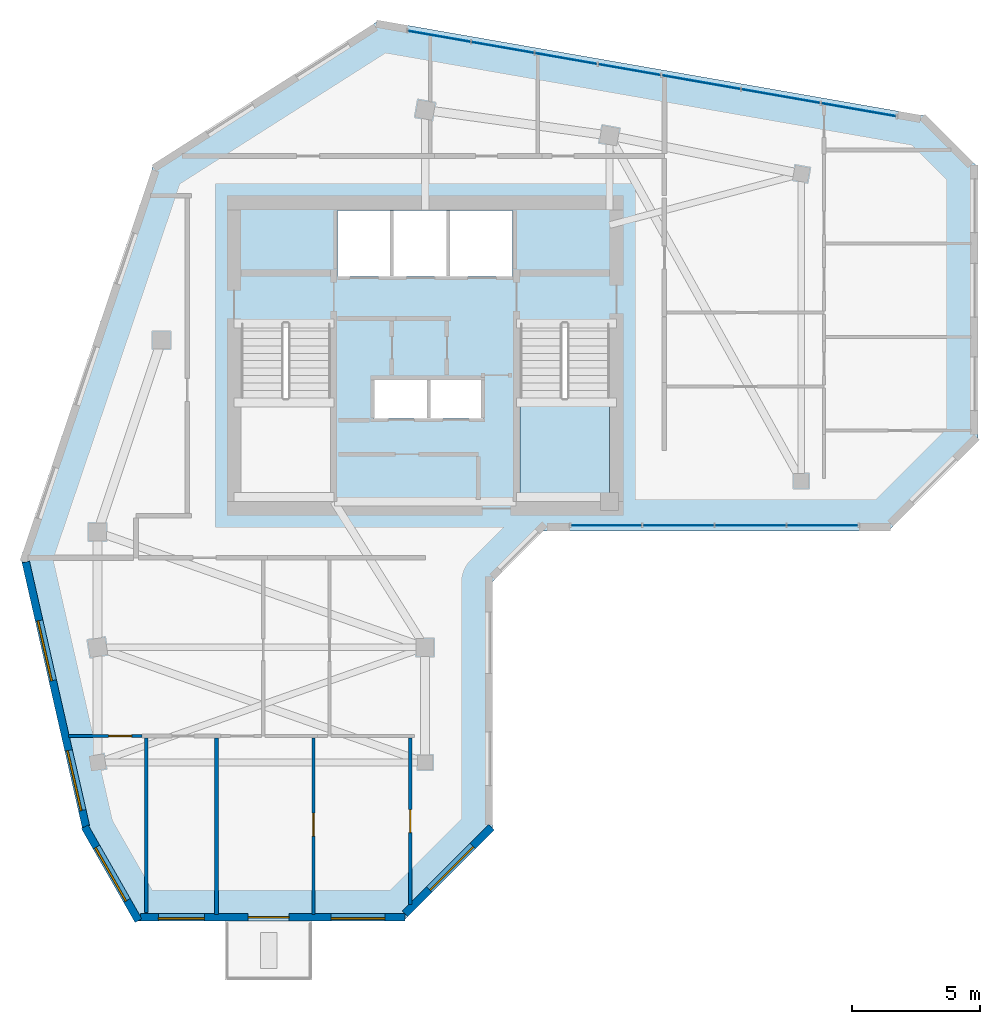
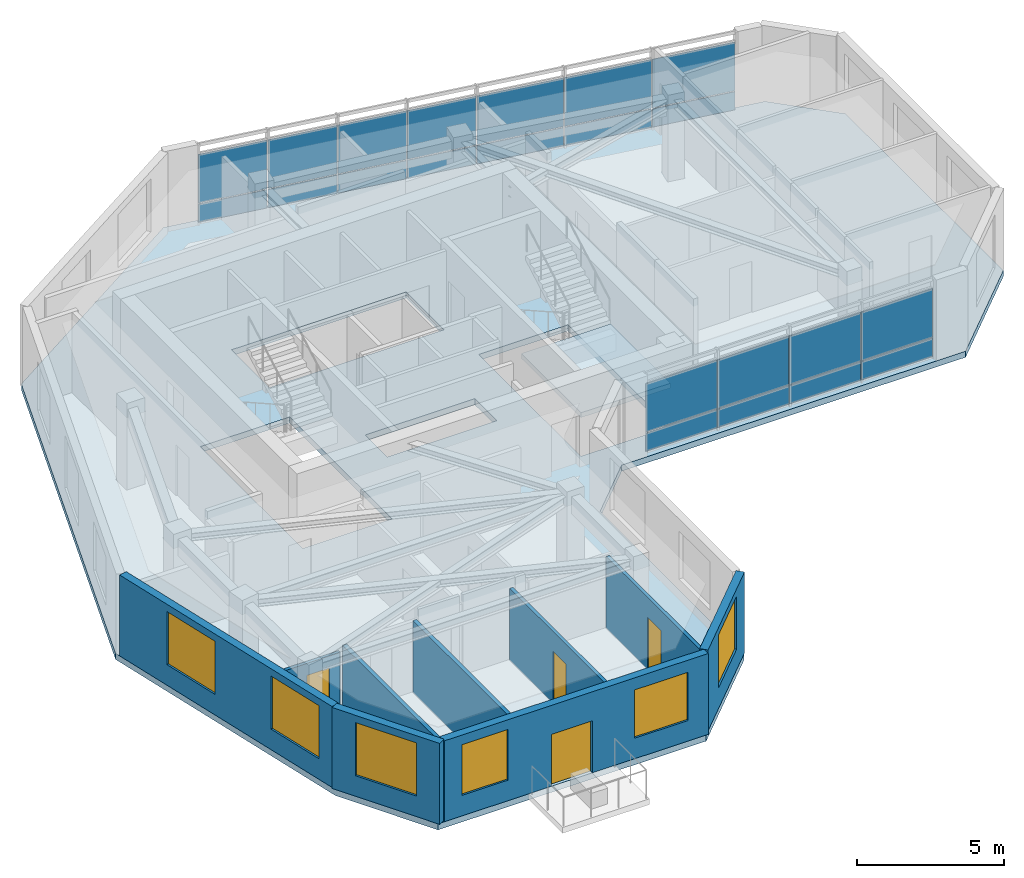
# One storey, part 3 of 10: 22 plates, 9 walls, 6 windows, 4 doors, 2 slabs, 10 openings, 3 elements without a shape of their own.
"""IFC4 building model written with IfcOpenShell, lengths in metres."""

import ifcopenshell
import ifcopenshell.guid

model = None  # the IFC model being written
_history = None  # IfcOwnerHistory: only IFC2X3 demands one
_inside = {}  # id of a spatial element -> (the spatial element, [elements in it])
_under = {}  # id of a project, library or spatial element -> (it, [spatial elements below it])
_declared = {}  # id of a project -> (the project, [libraries it declares])
_typed = {}  # id of a type object -> (the type object, [elements of that type])
_made_of = {}  # id of a material, layer set ... -> (it, [elements and type objects made of it])


def new_model(schema):
    """Start an empty IFC model of exactly this schema.

    Asked for "IFC4X3", IfcOpenShell would pick the latest addendum, in which some entities
    have other attributes; the version numbers below select the first issue.
    IFC2X3 requires an IfcOwnerHistory on every rooted entity: one is made here for all.
    """
    global model, _history
    if schema == "IFC4X3":
        model = ifcopenshell.file(schema_version=(4, 3, 0, 0))
    else:
        model = ifcopenshell.file(schema=schema)
    _inside.clear()
    _under.clear()
    _declared.clear()
    _typed.clear()
    _made_of.clear()
    _history = None
    if model.schema == "IFC2X3":
        org = make("IfcOrganization", Name="unknown")
        user = make(
            "IfcPersonAndOrganization",
            ThePerson=make("IfcPerson", FamilyName="unknown"),
            TheOrganization=org,
        )
        app = make(
            "IfcApplication",
            ApplicationDeveloper=org,
            Version="unknown",
            ApplicationFullName="unknown",
            ApplicationIdentifier="unknown",
        )
        _history = make(
            "IfcOwnerHistory",
            OwningUser=user,
            OwningApplication=app,
            ChangeAction="ADDED",
            CreationDate=0,
        )
    return model


def make(cls, **values):
    """One entity of the class cls with the attributes given. An attribute that is None is left unset."""
    return model.create_entity(
        cls, **{name: value for name, value in values.items() if value is not None}
    )


def rooted(cls, **values):
    """An entity with a GlobalId (a new one), such as an element, a storey or a relation."""
    return make(cls, GlobalId=ifcopenshell.guid.new(), OwnerHistory=_history, **values)


def si_unit(unit_type, name, prefix=None):
    """IfcSIUnit, for example si_unit("LENGTHUNIT", "METRE", prefix="MILLI")."""
    return make("IfcSIUnit", UnitType=unit_type, Prefix=prefix, Name=name)


def assignment(units):
    """IfcUnitAssignment: the units of a project."""
    return None if units is None else make("IfcUnitAssignment", Units=units)


def point(xyz):
    """IfcCartesianPoint."""
    return None if xyz is None else make("IfcCartesianPoint", Coordinates=xyz)


def direction(xyz):
    """IfcDirection."""
    return None if xyz is None else make("IfcDirection", DirectionRatios=xyz)


def frame(location, z_axis=None, x_axis=None):
    """IfcAxis2Placement3D, a coordinate frame: its origin and axes. An axis left out is left unset."""
    return make(
        "IfcAxis2Placement3D",
        Location=point(location),
        Axis=direction(z_axis),
        RefDirection=direction(x_axis),
    )


def frame_2d(location, x_axis=None):
    """IfcAxis2Placement2D, a coordinate frame in the plane: its origin and x axis."""
    return make(
        "IfcAxis2Placement2D", Location=point(location), RefDirection=direction(x_axis)
    )


def origin():
    """The frame at (0, 0, 0) with its axes left unset."""
    return frame((0.0, 0.0, 0.0))


def place(relative_to, where):
    """IfcLocalPlacement: puts the frame where relative to a parent placement (None: the world)."""
    return make(
        "IfcLocalPlacement", PlacementRelTo=relative_to, RelativePlacement=where
    )


def context(
    kind, dimensions, precision=None, world=None, true_north=None, identifier=None
):
    """IfcGeometricRepresentationContext, for example the 3D "Model" context."""
    return make(
        "IfcGeometricRepresentationContext",
        ContextIdentifier=identifier,
        ContextType=kind,
        CoordinateSpaceDimension=dimensions,
        Precision=precision,
        WorldCoordinateSystem=world,
        TrueNorth=true_north,
    )


def subcontext(parent, identifier, kind, view, scale=None):
    """IfcGeometricRepresentationSubContext, for example "Body" below "Model"."""
    return make(
        "IfcGeometricRepresentationSubContext",
        ContextIdentifier=identifier,
        ContextType=kind,
        ParentContext=parent,
        TargetScale=scale,
        TargetView=view,
    )


def project(units=None, contexts=None):
    """IfcProject with its units and contexts."""
    return rooted(
        "IfcProject",
        Name="project",
        RepresentationContexts=contexts,
        UnitsInContext=assignment(units),
    )


def spatial(cls, under=None, at=None, **own):
    """A site, building, storey or space (cls), placed at a placement, below another one or the project."""
    s = rooted(cls, ObjectPlacement=at, **own)
    if under is not None:
        _under.setdefault(under.id(), (under, []))[1].append(s)
    return s


def polyline(points):
    """IfcPolyline through the points."""
    return make("IfcPolyline", Points=[point(p) for p in points])


def profile(cls, at=None, kind="AREA", **sizes):
    """A parametric profile (cls). Its sizes go by their IFC names, for example OverallWidth=200.0."""
    return make(cls, ProfileType=kind, Position=at, **sizes)


def rectangle(**sizes):
    """IfcRectangleProfileDef."""
    return profile("IfcRectangleProfileDef", **sizes)


def outline(outer, holes=None, kind="AREA"):
    """IfcArbitraryClosedProfileDef: a profile drawn as a closed curve; with holes, ...WithVoids."""
    if holes is None:
        return make("IfcArbitraryClosedProfileDef", ProfileType=kind, OuterCurve=outer)
    return make(
        "IfcArbitraryProfileDefWithVoids",
        ProfileType=kind,
        OuterCurve=outer,
        InnerCurves=holes,
    )


def extrude(swept, where, along, depth):
    """IfcExtrudedAreaSolid: the profile swept, set in the frame where, extruded along a direction by depth."""
    return make(
        "IfcExtrudedAreaSolid",
        SweptArea=swept,
        Position=where,
        ExtrudedDirection=direction(along),
        Depth=depth,
    )


def shape(context_of_items, identifier, shape_type, items):
    """IfcShapeRepresentation: the items that make up one representation, for example the "Body"."""
    return make(
        "IfcShapeRepresentation",
        ContextOfItems=context_of_items,
        RepresentationIdentifier=identifier,
        RepresentationType=shape_type,
        Items=items,
    )


def source(mapping_origin, context_of_items, identifier, shape_type, items):
    """IfcRepresentationMap: a shape defined once, which mapped items show again and again."""
    return make(
        "IfcRepresentationMap",
        MappingOrigin=mapping_origin,
        MappedRepresentation=shape(context_of_items, identifier, shape_type, items),
    )


def transform(
    local_origin,
    x_axis=None,
    y_axis=None,
    z_axis=None,
    scale=None,
    scale2=None,
    scale3=None,
    uniform=True,
):
    """IfcCartesianTransformationOperator3D, or its non-uniform kind. x_axis, y_axis, z_axis: its Axis1, 2, 3."""
    if uniform:
        return make(
            "IfcCartesianTransformationOperator3D",
            Axis1=direction(x_axis),
            Axis2=direction(y_axis),
            LocalOrigin=point(local_origin),
            Scale=scale,
            Axis3=direction(z_axis),
        )
    return make(
        "IfcCartesianTransformationOperator3DnonUniform",
        Axis1=direction(x_axis),
        Axis2=direction(y_axis),
        LocalOrigin=point(local_origin),
        Scale=scale,
        Axis3=direction(z_axis),
        Scale2=scale2,
        Scale3=scale3,
    )


def mapped(mapping_source, mapping_target):
    """IfcMappedItem: shows the shape of a source again, moved by a transform."""
    return make(
        "IfcMappedItem", MappingSource=mapping_source, MappingTarget=mapping_target
    )


def material(Name=None, Category=None):
    """IfcMaterial."""
    return make("IfcMaterial", Name=Name, Category=Category)


def layer(
    of_material, thickness, ventilated=None, Name=None, Category=None, Priority=None
):
    """IfcMaterialLayer: one layer of a wall or slab, of a material (None: an air gap)."""
    return make(
        "IfcMaterialLayer",
        Material=of_material,
        LayerThickness=thickness,
        IsVentilated=ventilated,
        Name=Name,
        Category=Category,
        Priority=Priority,
    )


def layer_set(layers, Name=None):
    """IfcMaterialLayerSet."""
    return make("IfcMaterialLayerSet", MaterialLayers=layers, LayerSetName=Name)


def made_of(thing, what):
    """Note that an element or type object is made of a material, layer set ...; save() writes the relation."""
    if what is not None:
        _made_of.setdefault(what.id(), (what, []))[1].append(thing)
    return thing


def type_object(cls, material=None, **own):
    """A type object (cls), such as IfcWallType, which elements share."""
    return made_of(rooted(cls, **own), material)


def element(
    cls,
    number,
    at=None,
    inside=None,
    cuts=None,
    type_object=None,
    material=None,
    context=None,
    identifier="Body",
    shape_type=None,
    held_by="IfcProductDefinitionShape",
    body=None,
    shapes=None,
    **own,
):
    """One element of the class cls, such as IfcWall. Its Tag is "e" and its number.

    at: its placement. inside: the storey or other place that contains it. cuts: it is an
    opening in that element (IfcRelVoidsElement). A single representation is given by context,
    identifier, shape_type and body (its items); several are given by shapes. held_by: the class
    of the entity that holds the representations. save() writes the other relations.
    """
    e = rooted(cls, Tag="e%d" % number, ObjectPlacement=at, **own)
    if body is not None:
        shapes = [shape(context, identifier, shape_type, body)]
    if shapes is not None:
        e.Representation = make(held_by, Representations=shapes)
    if inside is not None:
        _inside.setdefault(inside.id(), (inside, []))[1].append(e)
    if cuts is not None:
        rooted(
            "IfcRelVoidsElement", RelatingBuildingElement=cuts, RelatedOpeningElement=e
        )
    if type_object is not None:
        _typed.setdefault(type_object.id(), (type_object, []))[1].append(e)
    return made_of(e, material)


def fill(opening, filler):
    """IfcRelFillsElement: the door or window that sits in an opening."""
    return rooted(
        "IfcRelFillsElement",
        RelatingOpeningElement=opening,
        RelatedBuildingElement=filler,
    )


def aggregate(whole, parts):
    """IfcRelAggregates: a whole, such as a stair, and the parts it consists of."""
    return rooted("IfcRelAggregates", RelatingObject=whole, RelatedObjects=parts)


def save(model, path):
    """Write the relations noted so far, then the file.

    IfcRelAggregates (storeys below a building ...), IfcRelContainedInSpatialStructure (elements
    in a storey), IfcRelDefinesByType, IfcRelAssociatesMaterial and IfcRelDeclares: one each for
    every whole, place, type object, material and project.
    """
    for whole, parts in _under.values():
        aggregate(whole, parts)
    for where, things in _inside.values():
        rooted(
            "IfcRelContainedInSpatialStructure",
            RelatedElements=things,
            RelatingStructure=where,
        )
    for kind, things in _typed.values():
        rooted("IfcRelDefinesByType", RelatedObjects=things, RelatingType=kind)
    for what, things in _made_of.values():
        rooted("IfcRelAssociatesMaterial", RelatedObjects=things, RelatingMaterial=what)
    for by, libraries in _declared.values():
        rooted("IfcRelDeclares", RelatingContext=by, RelatedDefinitions=libraries)
    model.write(path)


model = new_model("IFC4")

# Units and contexts
model_context = context("Model", 3, precision=1e-05, world=origin(), true_north=direction((0.0, 1.0)))
body_context = subcontext(model_context, "Body", "Model", "MODEL_VIEW")
ifc_project = project(units=[si_unit("LENGTHUNIT", "METRE"), si_unit("AREAUNIT", "SQUARE_METRE"), si_unit("VOLUMEUNIT", "CUBIC_METRE"), si_unit("PLANEANGLEUNIT", "RADIAN"), si_unit("MASSUNIT", "GRAM", prefix="KILO")], contexts=[model_context])

# Site, building, storey
site_placement = place(None, origin())
site = spatial("IfcSite", under=ifc_project, at=site_placement, CompositionType="ELEMENT")
building_placement = place(site_placement, origin())
building = spatial("IfcBuilding", under=site, at=building_placement, Name="Calvemar Wedge Station Tower", CompositionType="ELEMENT")
storey_placement = place(building_placement, frame((0.0, 0.0, 256.5)))
storey = spatial("IfcBuildingStorey", under=building, at=storey_placement, Name="L65", CompositionType="ELEMENT", Elevation=256.5)

# Curtain wall, plates
ifc_material_1 = material(Name="Anodised aluminium 6063-T6", Category="aluminium")
curtain_wall_type = type_object("IfcCurtainWallType", Name="CW4", PredefinedType="NOTDEFINED", material=ifc_material_1)
curtain_wall_1_placement = place(storey_placement, origin())
curtain_wall_1 = element("IfcCurtainWall", 1, at=curtain_wall_1_placement, inside=storey, type_object=curtain_wall_type, Name="Storey L65 CW4 Recessed Unitised Curtain Wall 6", PredefinedType="NOTDEFINED")
ifc_material_2 = material(Name="Low-E laminated insulated glass", Category="glass")
ifc_layer_1 = layer(ifc_material_2, 0.028076171875)
ifc_layer_set_1 = layer_set([ifc_layer_1], Name="Low-E laminated insulated glass")
plate_type_1 = type_object("IfcPlateType", Name="CW4-GLZ", PredefinedType="CURTAIN_PANEL", material=ifc_layer_set_1)
plate_1_placement = place(storey_placement, frame((29.48779296875, 33.26611328125, 0.8701171875), z_axis=(0.0, 0.0, 1.0), x_axis=(1.0, 0.0, 0.0)))
plate_1 = element("IfcPlate", 2, at=plate_1_placement, type_object=plate_type_1, Name="CW4 vision glass panel 1", PredefinedType="CURTAIN_PANEL", context=body_context, shape_type="SweptSolid", body=[
    extrude(rectangle(XDim=2.781005859375, YDim=0.028076171875, at=frame_2d((1.390625, 0.0))), origin(), (0.0, 0.0, 1.0), 2.009765625),
])
plate_2_placement = place(storey_placement, frame((32.304931640625, 33.26611328125, 0.8701171875), z_axis=(0.0, 0.0, 1.0), x_axis=(1.0, 0.0, 0.0)))
plate_2 = element("IfcPlate", 3, at=plate_2_placement, type_object=plate_type_1, Name="CW4 vision glass panel 2", PredefinedType="CURTAIN_PANEL", context=body_context, shape_type="SweptSolid", body=[
    extrude(rectangle(XDim=2.781005859375, YDim=0.028076171875, at=frame_2d((1.390625, 0.0))), origin(), (0.0, 0.0, 1.0), 2.009765625),
])
plate_3_placement = place(storey_placement, frame((35.121826171875, 33.26611328125, 0.8701171875), z_axis=(0.0, 0.0, 1.0), x_axis=(1.0, 0.0, 0.0)))
plate_3 = element("IfcPlate", 4, at=plate_3_placement, type_object=plate_type_1, Name="CW4 vision glass panel 3", PredefinedType="CURTAIN_PANEL", context=body_context, shape_type="SweptSolid", body=[
    extrude(rectangle(XDim=2.781005859375, YDim=0.028076171875, at=frame_2d((1.390625, 0.0))), origin(), (0.0, 0.0, 1.0), 2.009765625),
])
plate_4_placement = place(storey_placement, frame((37.93896484375, 33.26611328125, 0.8701171875), z_axis=(0.0, 0.0, 1.0), x_axis=(1.0, 0.0, 0.0)))
plate_4 = element("IfcPlate", 5, at=plate_4_placement, type_object=plate_type_1, Name="CW4 vision glass panel 4", PredefinedType="CURTAIN_PANEL", context=body_context, shape_type="SweptSolid", body=[
    extrude(rectangle(XDim=2.781005859375, YDim=0.028076171875, at=frame_2d((1.390625, 0.0))), origin(), (0.0, 0.0, 1.0), 2.009765625),
])

curtain_wall_2_placement = place(storey_placement, origin())
curtain_wall_2 = element("IfcCurtainWall", 6, at=curtain_wall_2_placement, inside=storey, type_object=curtain_wall_type, Name="Storey L65 CW4 Recessed Unitised Curtain Wall 10", PredefinedType="NOTDEFINED")
plate_5_placement = place(storey_placement, frame((42.2158203125, 49.25, 0.8701171875), z_axis=(0.0, 0.0, 1.0), x_axis=(-0.985039826474, 0.172326841378, 0.0)))
plate_5 = element("IfcPlate", 7, at=plate_5_placement, type_object=plate_type_1, Name="CW4 vision glass panel 1", PredefinedType="CURTAIN_PANEL", context=body_context, shape_type="SweptSolid", body=[
    extrude(rectangle(XDim=2.9892578125, YDim=0.028076171875, at=frame_2d((1.49462890625, 0.0))), origin(), (0.0, 0.0, 1.0), 2.009765625),
])
plate_6_placement = place(storey_placement, frame((39.23583984375, 49.771484375, 0.8701171875), z_axis=(0.0, 0.0, 1.0), x_axis=(-0.985045707379, 0.172293222078, 0.0)))
plate_6 = element("IfcPlate", 8, at=plate_6_placement, type_object=plate_type_1, Name="CW4 vision glass panel 2", PredefinedType="CURTAIN_PANEL", context=body_context, shape_type="SweptSolid", body=[
    extrude(rectangle(XDim=3.12744140625, YDim=0.028076171875, at=frame_2d((1.563720703125, 0.0))), origin(), (0.0, 0.0, 1.0), 2.009765625),
])
plate_7_placement = place(storey_placement, frame((36.119873046875, 50.31640625, 0.8701171875), z_axis=(0.0, 0.0, 1.0), x_axis=(-0.985032455421, 0.17236896985, 0.0)))
plate_7 = element("IfcPlate", 9, at=plate_7_placement, type_object=plate_type_1, Name="CW4 vision glass panel 3", PredefinedType="CURTAIN_PANEL", context=body_context, shape_type="SweptSolid", body=[
    extrude(rectangle(XDim=3.12744140625, YDim=0.028076171875, at=frame_2d((1.563720703125, 0.0))), origin(), (0.0, 0.0, 1.0), 2.009765625),
])
plate_8_placement = place(storey_placement, frame((33.00390625, 50.861572265625, 0.8701171875), z_axis=(0.0, 0.0, 1.0), x_axis=(-0.985043436117, 0.172306206978, 0.0)))
plate_8 = element("IfcPlate", 10, at=plate_8_placement, type_object=plate_type_1, Name="CW4 vision glass panel 4", PredefinedType="CURTAIN_PANEL", context=body_context, shape_type="SweptSolid", body=[
    extrude(rectangle(XDim=2.476806640625, YDim=0.028076171875, at=frame_2d((1.23828125, 0.0))), origin(), (0.0, 0.0, 1.0), 2.009765625),
])
plate_9_placement = place(storey_placement, frame((30.52880859375, 51.294677734375, 0.8701171875), z_axis=(0.0, 0.0, 1.0), x_axis=(-0.985040509104, 0.172322939343, 0.0)))
plate_9 = element("IfcPlate", 11, at=plate_9_placement, type_object=plate_type_1, Name="CW4 vision glass panel 5", PredefinedType="CURTAIN_PANEL", context=body_context, shape_type="SweptSolid", body=[
    extrude(rectangle(XDim=2.4765625, YDim=0.028076171875, at=frame_2d((1.23828125, 0.0))), origin(), (0.0, 0.0, 1.0), 2.009765625),
])
plate_10_placement = place(storey_placement, frame((28.053955078125, 51.7275390625, 0.8701171875), z_axis=(0.0, 0.0, 1.0), x_axis=(-0.985028799202, 0.172389862645, 0.0)))
plate_10 = element("IfcPlate", 12, at=plate_10_placement, type_object=plate_type_1, Name="CW4 vision glass panel 6", PredefinedType="CURTAIN_PANEL", context=body_context, shape_type="SweptSolid", body=[
    extrude(rectangle(XDim=2.4853515625, YDim=0.028076171875, at=frame_2d((1.24267578125, 0.0))), origin(), (0.0, 0.0, 1.0), 2.009765625),
])
plate_11_placement = place(storey_placement, frame((25.5703125, 52.162109375, 0.8701171875), z_axis=(0.0, 0.0, 1.0), x_axis=(-0.985039641183, 0.172327900522, 0.0)))
plate_11 = element("IfcPlate", 13, at=plate_11_placement, type_object=plate_type_1, Name="CW4 vision glass panel 7", PredefinedType="CURTAIN_PANEL", context=body_context, shape_type="SweptSolid", body=[
    extrude(rectangle(XDim=2.48486328125, YDim=0.028076171875, at=frame_2d((1.242431640625, 0.0))), origin(), (0.0, 0.0, 1.0), 2.009765625),
])

# Plate
ifc_material_3 = material(Name="Oxidized bronze aluminium spandrel panel 5005-H24", Category="aluminium")
ifc_layer_2 = layer(ifc_material_3, 0.0400390625)
ifc_layer_set_2 = layer_set([ifc_layer_2], Name="Oxidized bronze aluminium spandrel panel 5005-H24")
plate_type_2 = type_object("IfcPlateType", Name="CW4-SPD", PredefinedType="SHEET", material=ifc_layer_set_2)
plate_12_placement = place(storey_placement, frame((29.48779296875, 33.26611328125, 0.080078125), z_axis=(0.0, 0.0, 1.0), x_axis=(1.0, 0.0, 0.0)))
plate_12 = element("IfcPlate", 14, at=plate_12_placement, type_object=plate_type_2, Name="CW4 bronze spandrel panel 1", PredefinedType="SHEET", context=body_context, shape_type="SweptSolid", body=[
    extrude(rectangle(XDim=2.781005859375, YDim=0.0400390625, at=frame_2d((1.390625, 0.0))), origin(), (0.0, 0.0, 1.0), 0.75),
])

plate_13_placement = place(storey_placement, frame((32.304931640625, 33.26611328125, 0.080078125), z_axis=(0.0, 0.0, 1.0), x_axis=(1.0, 0.0, 0.0)))
plate_13 = element("IfcPlate", 15, at=plate_13_placement, type_object=plate_type_2, Name="CW4 bronze spandrel panel 2", PredefinedType="SHEET", context=body_context, shape_type="SweptSolid", body=[
    extrude(rectangle(XDim=2.781005859375, YDim=0.0400390625, at=frame_2d((1.390625, 0.0))), origin(), (0.0, 0.0, 1.0), 0.75),
])

plate_14_placement = place(storey_placement, frame((35.121826171875, 33.26611328125, 0.080078125), z_axis=(0.0, 0.0, 1.0), x_axis=(1.0, 0.0, 0.0)))
plate_14 = element("IfcPlate", 16, at=plate_14_placement, type_object=plate_type_2, Name="CW4 bronze spandrel panel 3", PredefinedType="SHEET", context=body_context, shape_type="SweptSolid", body=[
    extrude(rectangle(XDim=2.781005859375, YDim=0.0400390625, at=frame_2d((1.390625, 0.0))), origin(), (0.0, 0.0, 1.0), 0.75),
])

plate_15_placement = place(storey_placement, frame((37.93896484375, 33.26611328125, 0.080078125), z_axis=(0.0, 0.0, 1.0), x_axis=(1.0, 0.0, 0.0)))
plate_15 = element("IfcPlate", 17, at=plate_15_placement, type_object=plate_type_2, Name="CW4 bronze spandrel panel 4", PredefinedType="SHEET", context=body_context, shape_type="SweptSolid", body=[
    extrude(rectangle(XDim=2.781005859375, YDim=0.0400390625, at=frame_2d((1.390625, 0.0))), origin(), (0.0, 0.0, 1.0), 0.75),
])

aggregate(curtain_wall_1, [plate_12, plate_1, plate_13, plate_2, plate_14, plate_3, plate_15, plate_4])

plate_16_placement = place(storey_placement, frame((42.2158203125, 49.25, 0.080078125), z_axis=(0.0, 0.0, 1.0), x_axis=(-0.985039826474, 0.172326841378, 0.0)))
plate_16 = element("IfcPlate", 18, at=plate_16_placement, type_object=plate_type_2, Name="CW4 bronze spandrel panel 1", PredefinedType="SHEET", context=body_context, shape_type="SweptSolid", body=[
    extrude(rectangle(XDim=2.9892578125, YDim=0.0400390625, at=frame_2d((1.49462890625, 0.0))), origin(), (0.0, 0.0, 1.0), 0.75),
])

plate_17_placement = place(storey_placement, frame((39.23583984375, 49.771484375, 0.080078125), z_axis=(0.0, 0.0, 1.0), x_axis=(-0.985045707379, 0.172293222078, 0.0)))
plate_17 = element("IfcPlate", 19, at=plate_17_placement, type_object=plate_type_2, Name="CW4 bronze spandrel panel 2", PredefinedType="SHEET", context=body_context, shape_type="SweptSolid", body=[
    extrude(rectangle(XDim=3.12744140625, YDim=0.0400390625, at=frame_2d((1.563720703125, 0.0))), origin(), (0.0, 0.0, 1.0), 0.75),
])

plate_18_placement = place(storey_placement, frame((36.119873046875, 50.31640625, 0.080078125), z_axis=(0.0, 0.0, 1.0), x_axis=(-0.985032455421, 0.17236896985, 0.0)))
plate_18 = element("IfcPlate", 20, at=plate_18_placement, type_object=plate_type_2, Name="CW4 bronze spandrel panel 3", PredefinedType="SHEET", context=body_context, shape_type="SweptSolid", body=[
    extrude(rectangle(XDim=3.12744140625, YDim=0.0400390625, at=frame_2d((1.563720703125, 0.0))), origin(), (0.0, 0.0, 1.0), 0.75),
])

plate_19_placement = place(storey_placement, frame((33.00390625, 50.861572265625, 0.080078125), z_axis=(0.0, 0.0, 1.0), x_axis=(-0.985043436117, 0.172306206978, 0.0)))
plate_19 = element("IfcPlate", 21, at=plate_19_placement, type_object=plate_type_2, Name="CW4 bronze spandrel panel 4", PredefinedType="SHEET", context=body_context, shape_type="SweptSolid", body=[
    extrude(rectangle(XDim=2.476806640625, YDim=0.0400390625, at=frame_2d((1.23828125, 0.0))), origin(), (0.0, 0.0, 1.0), 0.75),
])

plate_20_placement = place(storey_placement, frame((30.52880859375, 51.294677734375, 0.080078125), z_axis=(0.0, 0.0, 1.0), x_axis=(-0.985040509104, 0.172322939343, 0.0)))
plate_20 = element("IfcPlate", 22, at=plate_20_placement, type_object=plate_type_2, Name="CW4 bronze spandrel panel 5", PredefinedType="SHEET", context=body_context, shape_type="SweptSolid", body=[
    extrude(rectangle(XDim=2.4765625, YDim=0.0400390625, at=frame_2d((1.23828125, 0.0))), origin(), (0.0, 0.0, 1.0), 0.75),
])

plate_21_placement = place(storey_placement, frame((28.053955078125, 51.7275390625, 0.080078125), z_axis=(0.0, 0.0, 1.0), x_axis=(-0.985028799202, 0.172389862645, 0.0)))
plate_21 = element("IfcPlate", 23, at=plate_21_placement, type_object=plate_type_2, Name="CW4 bronze spandrel panel 6", PredefinedType="SHEET", context=body_context, shape_type="SweptSolid", body=[
    extrude(rectangle(XDim=2.4853515625, YDim=0.0400390625, at=frame_2d((1.24267578125, 0.0))), origin(), (0.0, 0.0, 1.0), 0.75),
])

plate_22_placement = place(storey_placement, frame((25.5703125, 52.162109375, 0.080078125), z_axis=(0.0, 0.0, 1.0), x_axis=(-0.985039641183, 0.172327900522, 0.0)))
plate_22 = element("IfcPlate", 24, at=plate_22_placement, type_object=plate_type_2, Name="CW4 bronze spandrel panel 7", PredefinedType="SHEET", context=body_context, shape_type="SweptSolid", body=[
    extrude(rectangle(XDim=2.48486328125, YDim=0.0400390625, at=frame_2d((1.242431640625, 0.0))), origin(), (0.0, 0.0, 1.0), 0.75),
])

aggregate(curtain_wall_2, [plate_16, plate_5, plate_17, plate_6, plate_18, plate_7, plate_19, plate_8, plate_20, plate_9, plate_21, plate_10, plate_22, plate_11])

# Stair, slab
ifc_material_4 = material(Name="Concrete C45", Category="concrete")
stair_type = type_object("IfcStairType", Name="ST-TYPE-3600", PredefinedType="HALF_TURN_STAIR", material=ifc_material_4)
stair_placement = place(storey_placement, origin())
stair = element("IfcStair", 25, at=stair_placement, inside=storey, type_object=stair_type, Name="L65 Pressurized Core Exit Stair ST-C2", PredefinedType="HALF_TURN_STAIR")
ifc_layer_3 = layer(ifc_material_4, 0.199951171875)
ifc_layer_set_3 = layer_set([ifc_layer_3], Name="Concrete C45")
slab_type_1 = type_object("IfcSlabType", Name="SL-STAIR-LND-200", PredefinedType="LANDING", material=ifc_layer_set_3)
slab_1_placement = place(storey_placement, frame((0.0, 0.0, 1.60009765625)))
slab_1 = element("IfcSlab", 26, at=slab_1_placement, type_object=slab_type_1, Name="ST-C2 landing 1", PredefinedType="LANDING", context=body_context, shape_type="SweptSolid", body=[
    extrude(outline(polyline([(27.5, 38.25), (27.5, 34.199951171875), (31.0, 34.199951171875), (31.0, 38.25), (27.5, 38.25)])), origin(), (0.0, 0.0, 1.0), 0.199951171875),
])
aggregate(stair, [slab_1])

# Slab
ifc_material_5 = material(Name="Concrete C50", Category="concrete")
ifc_layer_4 = layer(ifc_material_5, 0.25)
ifc_layer_set_4 = layer_set([ifc_layer_4], Name="Concrete C50")
slab_type_2 = type_object("IfcSlabType", Name="SL-TYP-250", PredefinedType="FLOOR", material=ifc_layer_set_4)
slab_2_placement = place(storey_placement, frame((0.0, 0.0, -0.25)))
element("IfcSlab", 27, at=slab_2_placement, inside=storey, type_object=slab_type_2, Name="Storey L65 Structural Floor Slab", PredefinedType="FLOOR", context=body_context, shape_type="SweptSolid", body=[
    extrude(outline(polyline([(8.0, 32.0), (10.431884765625, 21.300048828125), (12.431884765625, 17.800048828125), (22.931884765625, 17.800048828125), (26.431884765625, 21.300048828125), (26.431884765625, 31.055908203125), (28.431884765625, 33.055908203125), (41.89990234375, 33.055908203125), (45.39990234375, 36.555908203125), (45.39990234375, 47.256103515625), (43.39990234375, 49.256103515625), (22.0, 53.0), (13.199951171875, 47.39990234375), (8.0, 32.0)]), holes=[polyline([(20.10009765625, 34.199951171875), (20.10009765625, 41.14990234375), (16.60009765625, 41.14990234375), (16.60009765625, 34.199951171875), (20.10009765625, 34.199951171875)]), polyline([(31.0, 34.199951171875), (31.0, 41.14990234375), (27.5, 41.14990234375), (27.5, 34.199951171875), (31.0, 34.199951171875)]), polyline([(23.929931640625, 38.949951171875), (21.7900390625, 38.949951171875), (21.7900390625, 37.449951171875), (23.929931640625, 37.449951171875), (23.93994140625, 37.449951171875), (26.080078125, 37.449951171875), (26.080078125, 38.949951171875), (23.93994140625, 38.949951171875), (23.929931640625, 38.949951171875)]), polyline([(27.219970703125, 43.0), (27.219970703125, 45.580078125), (20.3798828125, 45.580078125), (20.3798828125, 43.0), (27.219970703125, 43.0)])]), origin(), (0.0, 0.0, 1.0), 0.25),
])

# Wall, opening, window
ifc_material_6 = material(Name="Precast concrete C45", Category="concrete")
ifc_layer_5 = layer(ifc_material_6, 0.300048828125)
ifc_layer_set_5 = layer_set([ifc_layer_5], Name="Precast concrete C45")
wall_type_1 = type_object("IfcWallType", Name="W-EXT-GFRC-300", PredefinedType="SOLIDWALL", material=ifc_layer_set_5)
wall_1_placement = place(storey_placement, frame((10.498779296875, 21.4853515625, 0.0), z_axis=(0.0, 0.0, 1.0), x_axis=(0.496163848656, -0.868228907194, 0.0)))
wall_1 = element("IfcWall", 28, at=wall_1_placement, inside=storey, type_object=wall_type_1, Name="Storey L65 Bronze GFRC Exterior Wall 1", PredefinedType="SOLIDWALL", context=body_context, shape_type="SweptSolid", body=[
    extrude(rectangle(XDim=4.221923828125, YDim=0.300048828125, at=frame_2d((2.11083984375, 0.0))), origin(), (0.0, 0.0, 1.0), 3.35009765625),
])
shared_shape_1 = source(origin(), body_context, "Body", "SweptSolid", [
    extrude(rectangle(XDim=2.39990234375, YDim=2.199951171875, at=frame_2d((1.199951171875, 1.10009765625))), frame((0.0, 0.16015625, 0.0), z_axis=(0.0, -1.0, 0.0), x_axis=(1.0, 0.0, 0.0)), (0.0, 0.0, 1.0), 0.320068359375),
])
opening_1_placement = place(wall_1_placement, frame((0.910888671875, 0.0, 0.85009765625)))
opening_1 = element("IfcOpeningElement", 29, at=opening_1_placement, cuts=wall_1, Name="Opening W1", PredefinedType="OPENING", context=body_context, shape_type="MappedRepresentation", body=[
    mapped(shared_shape_1, transform((0.0, 0.0, 0.0), scale=1.0)),
])
window_type_1 = type_object("IfcWindowType", Name="WIN-EXT-1", PartitioningType="SINGLE_PANEL", PredefinedType="WINDOW", material=ifc_material_2)
shared_shape_2 = source(origin(), body_context, "Body", "SweptSolid", [
    extrude(rectangle(XDim=2.39990234375, YDim=2.199951171875, at=frame_2d((1.199951171875, 1.10009765625))), frame((0.0, -0.014892578125, 0.0), z_axis=(0.0, -1.0, 0.0), x_axis=(1.0, 0.0, 0.0)), (0.0, 0.0, 1.0), 0.06005859375),
])
window_1_placement = place(opening_1_placement, origin())
window_1 = element("IfcWindow", 30, at=window_1_placement, inside=storey, type_object=window_type_1, Name="Storey L65 Recessed Window 1.1", OverallHeight=2.199951171875, OverallWidth=2.39990234375, PartitioningType="SINGLE_PANEL", PredefinedType="WINDOW", context=body_context, shape_type="MappedRepresentation", body=[
    mapped(shared_shape_2, transform((0.0, 0.0, 0.0), scale=1.0)),
])
fill(opening_1, window_1)

# Wall, openings, windows, door
wall_2_placement = place(storey_placement, frame((12.677978515625, 17.949951171875, 0.0), z_axis=(0.0, 0.0, 1.0), x_axis=(1.0, 0.0, 0.0)))
wall_2 = element("IfcWall", 31, at=wall_2_placement, inside=storey, type_object=wall_type_1, Name="Storey L65 Bronze GFRC Exterior Wall 2", PredefinedType="SOLIDWALL", context=body_context, shape_type="SweptSolid", body=[
    extrude(rectangle(XDim=10.342041015625, YDim=0.300048828125, at=frame_2d((5.1708984375, 0.0))), origin(), (0.0, 0.0, 1.0), 3.35009765625),
])
shared_shape_3 = source(origin(), body_context, "Body", "SweptSolid", [
    extrude(rectangle(XDim=1.60009765625, YDim=2.14990234375, at=frame_2d((0.800048828125, 1.074951171875))), frame((0.0, 0.16015625, 0.0), z_axis=(0.0, -1.0, 0.0), x_axis=(1.0, 0.0, 0.0)), (0.0, 0.0, 1.0), 0.320068359375),
])
opening_2_placement = place(wall_2_placement, frame((4.2041015625, 0.0, 0.0)))
opening_2 = element("IfcOpeningElement", 32, at=opening_2_placement, cuts=wall_2, Name="Opening DT1", PredefinedType="OPENING", context=body_context, shape_type="MappedRepresentation", body=[
    mapped(shared_shape_3, transform((0.0, 0.0, 0.0), scale=1.0)),
])
shared_shape_4 = source(origin(), body_context, "Body", "SweptSolid", [
    extrude(rectangle(XDim=1.800048828125, YDim=2.10009765625, at=frame_2d((0.89990234375, 1.050048828125))), frame((0.0, 0.16015625, 0.0), z_axis=(0.0, -1.0, 0.0), x_axis=(1.0, 0.0, 0.0)), (0.0, 0.0, 1.0), 0.320068359375),
])
opening_3_placement = place(wall_2_placement, frame((0.697021484375, 0.0, 0.85009765625)))
opening_3 = element("IfcOpeningElement", 33, at=opening_3_placement, cuts=wall_2, Name="Opening W2", PredefinedType="OPENING", context=body_context, shape_type="MappedRepresentation", body=[
    mapped(shared_shape_4, transform((0.0, 0.0, 0.0), scale=1.0)),
])
shared_shape_5 = source(origin(), body_context, "Body", "SweptSolid", [
    extrude(rectangle(XDim=2.10009765625, YDim=2.0, at=frame_2d((1.050048828125, 1.0))), frame((0.0, 0.16015625, 0.0), z_axis=(0.0, -1.0, 0.0), x_axis=(1.0, 0.0, 0.0)), (0.0, 0.0, 1.0), 0.320068359375),
])
opening_4_placement = place(wall_2_placement, frame((7.448974609375, 0.0, 0.85009765625)))
opening_4 = element("IfcOpeningElement", 34, at=opening_4_placement, cuts=wall_2, Name="Opening W4", PredefinedType="OPENING", context=body_context, shape_type="MappedRepresentation", body=[
    mapped(shared_shape_5, transform((0.0, 0.0, 0.0), scale=1.0)),
])
window_type_2 = type_object("IfcWindowType", Name="WIN-EXT-4", PartitioningType="SINGLE_PANEL", PredefinedType="WINDOW", material=ifc_material_2)
shared_shape_6 = source(origin(), body_context, "Body", "SweptSolid", [
    extrude(rectangle(XDim=2.10009765625, YDim=2.0, at=frame_2d((1.050048828125, 1.0))), frame((0.0, -0.014892578125, 0.0), z_axis=(0.0, -1.0, 0.0), x_axis=(1.0, 0.0, 0.0)), (0.0, 0.0, 1.0), 0.06005859375),
])
window_2_placement = place(opening_4_placement, origin())
window_2 = element("IfcWindow", 35, at=window_2_placement, inside=storey, type_object=window_type_2, Name="Storey L65 Recessed Window 2.2", OverallHeight=2.0, OverallWidth=2.10009765625, PartitioningType="SINGLE_PANEL", PredefinedType="WINDOW", context=body_context, shape_type="MappedRepresentation", body=[
    mapped(shared_shape_6, transform((0.0, 0.0, 0.0), scale=1.0)),
])
fill(opening_4, window_2)
window_type_3 = type_object("IfcWindowType", Name="WIN-EXT-2", PartitioningType="SINGLE_PANEL", PredefinedType="WINDOW", material=ifc_material_2)
shared_shape_7 = source(origin(), body_context, "Body", "SweptSolid", [
    extrude(rectangle(XDim=1.800048828125, YDim=2.10009765625, at=frame_2d((0.89990234375, 1.050048828125))), frame((0.0, -0.014892578125, 0.0), z_axis=(0.0, -1.0, 0.0), x_axis=(1.0, 0.0, 0.0)), (0.0, 0.0, 1.0), 0.06005859375),
])
window_3_placement = place(opening_3_placement, origin())
window_3 = element("IfcWindow", 36, at=window_3_placement, inside=storey, type_object=window_type_3, Name="Storey L65 Recessed Window 2.1", OverallHeight=2.10009765625, OverallWidth=1.800048828125, PartitioningType="SINGLE_PANEL", PredefinedType="WINDOW", context=body_context, shape_type="MappedRepresentation", body=[
    mapped(shared_shape_7, transform((0.0, 0.0, 0.0), scale=1.0)),
])
fill(opening_3, window_3)
door_type_1 = type_object("IfcDoorType", Name="DR-TERR-1600", OperationType="DOUBLE_DOOR_SLIDING", PredefinedType="DOOR", material=ifc_material_1)
shared_shape_8 = source(origin(), body_context, "Body", "SweptSolid", [
    extrude(rectangle(XDim=1.60009765625, YDim=2.14990234375, at=frame_2d((0.800048828125, 1.074951171875))), frame((0.0, 0.02490234375, 0.0), z_axis=(0.0, -1.0, 0.0), x_axis=(1.0, 0.0, 0.0)), (0.0, 0.0, 1.0), 0.050048828125),
])
door_1_placement = place(opening_2_placement, origin())
door_1 = element("IfcDoor", 37, at=door_1_placement, inside=storey, type_object=door_type_1, Name="Storey L65 Spiral Terrace Door", OperationType="DOUBLE_DOOR_SLIDING", OverallHeight=2.14990234375, OverallWidth=1.60009765625, PredefinedType="DOOR", context=body_context, shape_type="MappedRepresentation", body=[
    mapped(shared_shape_8, transform((0.0, 0.0, 0.0), scale=1.0)),
])
fill(opening_2, door_1)

# Wall, opening, window
wall_3_placement = place(storey_placement, frame((23.0078125, 18.087890625, 0.0), z_axis=(0.0, 0.0, 1.0), x_axis=(0.707106781187, 0.707106781187, 0.0)))
wall_3 = element("IfcWall", 38, at=wall_3_placement, inside=storey, type_object=wall_type_1, Name="Storey L65 Bronze GFRC Exterior Wall 3", PredefinedType="SOLIDWALL", context=body_context, shape_type="SweptSolid", body=[
    extrude(rectangle(XDim=4.780517578125, YDim=0.300048828125, at=frame_2d((2.39013671875, 0.0))), origin(), (0.0, 0.0, 1.0), 3.35009765625),
])
opening_5_placement = place(wall_3_placement, frame((1.345947265625, 0.0, 0.85009765625)))
opening_5 = element("IfcOpeningElement", 39, at=opening_5_placement, cuts=wall_3, Name="Opening W1", PredefinedType="OPENING", context=body_context, shape_type="MappedRepresentation", body=[
    mapped(shared_shape_1, transform((0.0, 0.0, 0.0), scale=1.0)),
])
window_4_placement = place(opening_5_placement, origin())
window_4 = element("IfcWindow", 40, at=window_4_placement, inside=storey, type_object=window_type_1, Name="Storey L65 Recessed Window 3.1", OverallHeight=2.199951171875, OverallWidth=2.39990234375, PartitioningType="SINGLE_PANEL", PredefinedType="WINDOW", context=body_context, shape_type="MappedRepresentation", body=[
    mapped(shared_shape_2, transform((0.0, 0.0, 0.0), scale=1.0)),
])
fill(opening_5, window_4)

# Wall, openings, windows
wall_4_placement = place(storey_placement, frame((8.19140625, 31.834228515625, 0.0), z_axis=(0.0, 0.0, 1.0), x_axis=(0.221636032737, -0.975129462683, 0.0)))
wall_4 = element("IfcWall", 41, at=wall_4_placement, inside=storey, type_object=wall_type_1, Name="Storey L65 Bronze GFRC Exterior Wall 13", PredefinedType="SOLIDWALL", context=body_context, shape_type="SweptSolid", body=[
    extrude(rectangle(XDim=10.602294921875, YDim=0.300048828125, at=frame_2d((5.30126953125, 0.0))), origin(), (0.0, 0.0, 1.0), 3.35009765625),
])
opening_6_placement = place(wall_4_placement, frame((2.35107421875, 0.0, 0.85009765625)))
opening_6 = element("IfcOpeningElement", 42, at=opening_6_placement, cuts=wall_4, Name="Opening W1", PredefinedType="OPENING", context=body_context, shape_type="MappedRepresentation", body=[
    mapped(shared_shape_1, transform((0.0, 0.0, 0.0), scale=1.0)),
])
opening_7_placement = place(wall_4_placement, frame((7.552001953125, 0.0, 0.85009765625)))
opening_7 = element("IfcOpeningElement", 43, at=opening_7_placement, cuts=wall_4, Name="Opening W1", PredefinedType="OPENING", context=body_context, shape_type="MappedRepresentation", body=[
    mapped(shared_shape_1, transform((0.0, 0.0, 0.0), scale=1.0)),
])
window_5_placement = place(opening_6_placement, origin())
window_5 = element("IfcWindow", 44, at=window_5_placement, inside=storey, type_object=window_type_1, Name="Storey L65 Recessed Window 13.1", OverallHeight=2.199951171875, OverallWidth=2.39990234375, PartitioningType="SINGLE_PANEL", PredefinedType="WINDOW", context=body_context, shape_type="MappedRepresentation", body=[
    mapped(shared_shape_2, transform((0.0, 0.0, 0.0), scale=1.0)),
])
fill(opening_6, window_5)
window_6_placement = place(opening_7_placement, origin())
window_6 = element("IfcWindow", 45, at=window_6_placement, inside=storey, type_object=window_type_1, Name="Storey L65 Recessed Window 13.2", OverallHeight=2.199951171875, OverallWidth=2.39990234375, PartitioningType="SINGLE_PANEL", PredefinedType="WINDOW", context=body_context, shape_type="MappedRepresentation", body=[
    mapped(shared_shape_2, transform((0.0, 0.0, 0.0), scale=1.0)),
])
fill(opening_7, window_6)

# Wall, opening, door
ifc_material_7 = material(Name="Insulated acoustic gypsum stud partition")
ifc_layer_6 = layer(ifc_material_7, 0.125)
ifc_layer_set_6 = layer_set([ifc_layer_6], Name="Insulated acoustic gypsum stud partition")
wall_type_2 = type_object("IfcWallType", Name="W-PART-125", PredefinedType="PARTITIONING", material=ifc_layer_set_6)
wall_5_placement = place(storey_placement, frame((12.738037109375, 25.031982421875, 0.0), z_axis=(0.0, 0.0, 1.0), x_axis=(-1.0, 0.0, 0.0)))
wall_5 = element("IfcWall", 46, at=wall_5_placement, inside=storey, type_object=wall_type_2, Name="Storey L65 Interior Partition WL-L65-044", PredefinedType="PARTITIONING", context=body_context, shape_type="SweptSolid", body=[
    extrude(rectangle(XDim=2.882568359375, YDim=0.125, at=frame_2d((1.44140625, 0.0))), origin(), (0.0, 0.0, 1.0), 2.64208984375),
])
shared_shape_9 = source(origin(), body_context, "Body", "SweptSolid", [
    extrude(rectangle(XDim=0.89990234375, YDim=2.14990234375, at=frame_2d((0.449951171875, 1.074951171875))), frame((0.0, 0.072509765625, 0.0), z_axis=(0.0, -1.0, 0.0), x_axis=(1.0, 0.0, 0.0)), (0.0, 0.0, 1.0), 0.14501953125),
])
opening_8_placement = place(wall_5_placement, frame((0.4091796875, 0.0, 0.0)))
opening_8 = element("IfcOpeningElement", 47, at=opening_8_placement, cuts=wall_5, Name="Opening D-01", PredefinedType="OPENING", context=body_context, shape_type="MappedRepresentation", body=[
    mapped(shared_shape_9, transform((0.0, 0.0, 0.0), scale=1.0)),
])
ifc_material_8 = material(Name="Architectural hardwood acoustic swing door", Category="wood")
door_type_2 = type_object("IfcDoorType", Name="DR-INT-900", OperationType="NOTDEFINED", PredefinedType="DOOR", material=ifc_material_8)
shared_shape_10 = source(origin(), body_context, "Body", "SweptSolid", [
    extrude(rectangle(XDim=0.89990234375, YDim=2.14990234375, at=frame_2d((0.449951171875, 1.074951171875))), frame((0.0, 0.02490234375, 0.0), z_axis=(0.0, -1.0, 0.0), x_axis=(1.0, 0.0, 0.0)), (0.0, 0.0, 1.0), 0.050048828125),
])
door_2_placement = place(opening_8_placement, origin())
door_2 = element("IfcDoor", 48, at=door_2_placement, inside=storey, type_object=door_type_2, Name="L65 Bedroom Door", OperationType="SINGLE_SWING_LEFT", OverallHeight=2.14990234375, OverallWidth=0.89990234375, PredefinedType="DOOR", context=body_context, shape_type="MappedRepresentation", body=[
    mapped(shared_shape_10, transform((0.0, 0.0, 0.0), scale=1.0)),
])
fill(opening_8, door_2)

wall_6_placement = place(storey_placement, frame((19.43408203125, 24.965576171875, 0.0), z_axis=(0.0, 0.0, 1.0), x_axis=(0.0, -1.0, 0.0)))
wall_6 = element("IfcWall", 49, at=wall_6_placement, inside=storey, type_object=wall_type_2, Name="Storey L65 Interior Partition WL-L65-050", PredefinedType="PARTITIONING", context=body_context, shape_type="SweptSolid", body=[
    extrude(rectangle(XDim=6.900634765625, YDim=0.125, at=frame_2d((3.4501953125, 0.0))), origin(), (0.0, 0.0, 1.0), 2.97900390625),
])
opening_9_placement = place(wall_6_placement, frame((2.939697265625, 0.0, 0.0)))
opening_9 = element("IfcOpeningElement", 50, at=opening_9_placement, cuts=wall_6, Name="Opening D-01", PredefinedType="OPENING", context=body_context, shape_type="MappedRepresentation", body=[
    mapped(shared_shape_9, transform((0.0, 0.0, 0.0), scale=1.0)),
])
door_3_placement = place(opening_9_placement, origin())
door_3 = element("IfcDoor", 51, at=door_3_placement, inside=storey, type_object=door_type_2, Name="L65 Bedroom Door", OperationType="SINGLE_SWING_LEFT", OverallHeight=2.14990234375, OverallWidth=0.89990234375, PredefinedType="DOOR", context=body_context, shape_type="MappedRepresentation", body=[
    mapped(shared_shape_10, transform((0.0, 0.0, 0.0), scale=1.0)),
])
fill(opening_9, door_3)

wall_7_placement = place(storey_placement, frame((23.217041015625, 24.965576171875, 0.0), z_axis=(0.0, 0.0, 1.0), x_axis=(0.0, -1.0, 0.0)))
wall_7 = element("IfcWall", 52, at=wall_7_placement, inside=storey, type_object=wall_type_2, Name="Storey L65 Interior Partition WL-L65-051", PredefinedType="PARTITIONING", context=body_context, shape_type="SweptSolid", body=[
    extrude(rectangle(XDim=6.505859375, YDim=0.125, at=frame_2d((3.2529296875, 0.0))), origin(), (0.0, 0.0, 1.0), 2.97900390625),
])
opening_10_placement = place(wall_7_placement, frame((2.802734375, 0.0, 0.0)))
opening_10 = element("IfcOpeningElement", 53, at=opening_10_placement, cuts=wall_7, Name="Opening D-01", PredefinedType="OPENING", context=body_context, shape_type="MappedRepresentation", body=[
    mapped(shared_shape_9, transform((0.0, 0.0, 0.0), scale=1.0)),
])
door_4_placement = place(opening_10_placement, origin())
door_4 = element("IfcDoor", 54, at=door_4_placement, inside=storey, type_object=door_type_2, Name="L65 Master Bedroom Door", OperationType="SINGLE_SWING_RIGHT", OverallHeight=2.14990234375, OverallWidth=0.89990234375, PredefinedType="DOOR", context=body_context, shape_type="MappedRepresentation", body=[
    mapped(shared_shape_10, transform((0.0, 0.0, 0.0), scale=1.0)),
])
fill(opening_10, door_4)

# Walls
ifc_material_9 = material(Name="Moisture-resistant acoustic bathroom partition")
ifc_layer_7 = layer(ifc_material_9, 0.14990234375)
ifc_layer_set_7 = layer_set([ifc_layer_7], Name="Moisture-resistant acoustic bathroom partition")
wall_type_3 = type_object("IfcWallType", Name="W-WET-150", PredefinedType="PARTITIONING", material=ifc_layer_set_7)
wall_8_placement = place(storey_placement, frame((12.89990234375, 18.135009765625, 0.0), z_axis=(0.0, 0.0, 1.0), x_axis=(0.0, 1.0, 0.0)))
element("IfcWall", 55, at=wall_8_placement, inside=storey, type_object=wall_type_3, Name="Storey L65 Interior Partition WL-L65-048", PredefinedType="PARTITIONING", context=body_context, shape_type="SweptSolid", body=[
    extrude(rectangle(XDim=6.81787109375, YDim=0.14990234375, at=frame_2d((3.408935546875, 0.0))), origin(), (0.0, 0.0, 1.0), 2.922119140625),
])
wall_9_placement = place(storey_placement, frame((15.64990234375, 24.952880859375, 0.0), z_axis=(0.0, 0.0, 1.0), x_axis=(0.0, -1.0, 0.0)))
element("IfcWall", 56, at=wall_9_placement, inside=storey, type_object=wall_type_3, Name="Storey L65 Interior Partition WL-L65-049", PredefinedType="PARTITIONING", context=body_context, shape_type="SweptSolid", body=[
    extrude(rectangle(XDim=6.887939453125, YDim=0.14990234375, at=frame_2d((3.44384765625, 0.0))), origin(), (0.0, 0.0, 1.0), 2.97900390625),
])

save(model, "model.ifc")
